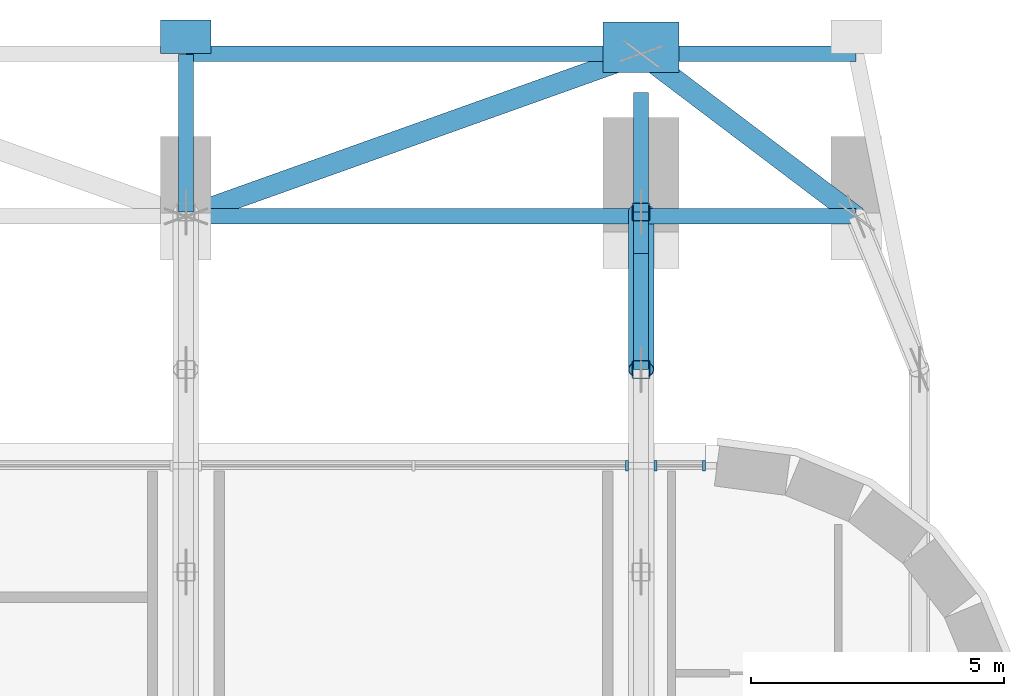
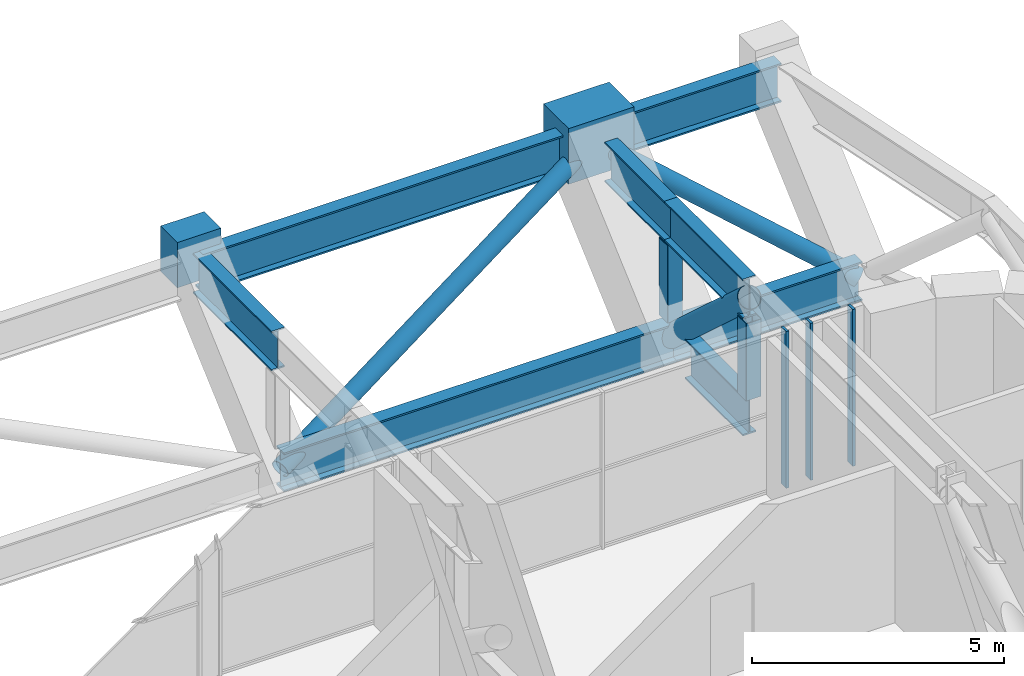
# One storey, part 8 of 23: 16 members, 2 beams, 2 elements without a shape of their own.
"""IFC4 building model written with IfcOpenShell, lengths in metres."""

from ifc_helpers import new_model, si_unit, direction, frame, origin, origin_2d, place, context, subcontext, project, spatial, rectangle, hollow_rectangle, hollow_circle, i_section, extrude, material, material_profile, profile_set, type_object, element, aggregate, save


model = new_model("IFC4")

# Units and contexts
model_context = context("Model", 3, precision=1e-05, world=origin(), true_north=direction((0.0, 1.0)))
body_context = subcontext(model_context, "Body", "Model", "MODEL_VIEW")
ifc_project = project(units=[si_unit("LENGTHUNIT", "METRE"), si_unit("AREAUNIT", "SQUARE_METRE"), si_unit("VOLUMEUNIT", "CUBIC_METRE"), si_unit("PLANEANGLEUNIT", "RADIAN"), si_unit("MASSUNIT", "GRAM", prefix="KILO")], contexts=[model_context])

# Site, building, storey
site_placement = place(None, origin())
site = spatial("IfcSite", under=ifc_project, at=site_placement, CompositionType="ELEMENT")
building_placement = place(site_placement, origin())
building = spatial("IfcBuilding", under=site, at=building_placement, Name="Zellij Exchange Tower", CompositionType="ELEMENT")
storey_placement = place(building_placement, frame((0.0, 0.0, 160.5)))
storey = spatial("IfcBuildingStorey", under=building, at=storey_placement, Name="L36", CompositionType="ELEMENT", Elevation=160.5)

# Curtain wall, members
ifc_material_1 = material(Name="Aluminium frame, clear insulating glass", Category="aluminium")
curtain_wall_type = type_object("IfcCurtainWallType", Name="ENV-CW2 Outrigger-storey glazing", PredefinedType="NOTDEFINED", material=ifc_material_1)
curtain_wall_1_placement = place(storey_placement, origin())
curtain_wall_1 = element("IfcCurtainWall", 1, at=curtain_wall_1_placement, inside=storey, type_object=curtain_wall_type, Name="cw.L36.14a.a", PredefinedType="NOTDEFINED")
ifc_material_2 = material(Name="Aluminium", Category="aluminium")
ifc_material_profile_1 = material_profile(ifc_material_2, rectangle(XDim=0.06005859375, YDim=0.199951171875, at=origin_2d()), Name="AL 60x200")
ifc_profile_set_1 = profile_set([ifc_material_profile_1], Name="Aluminium")
member_type_1 = type_object("IfcMemberType", Name="ENV-CW2M Mullion 60x200", PredefinedType="MULLION", material=ifc_profile_set_1)
member_1_placement = place(storey_placement, frame((28.243896484375, 20.10009765625, 0.0), z_axis=(0.0, 0.0, 1.0), x_axis=(-1.0, 0.0, 0.0)))
member_1 = element("IfcMember", 2, at=member_1_placement, type_object=member_type_1, Name="CW2 mullion 1", PredefinedType="MULLION", context=body_context, shape_type="SweptSolid", body=[
    extrude(rectangle(XDim=0.06005859375, YDim=0.199951171875, at=origin_2d()), origin(), (0.0, 0.0, 1.0), 3.800048828125),
])
member_2_placement = place(storey_placement, frame((27.27978515625, 20.10009765625, 0.0), z_axis=(0.0, 0.0, 1.0), x_axis=(-1.0, 0.0, 0.0)))
member_2 = element("IfcMember", 3, at=member_2_placement, type_object=member_type_1, Name="CW2 mullion 2", PredefinedType="MULLION", context=body_context, shape_type="SweptSolid", body=[
    extrude(rectangle(XDim=0.06005859375, YDim=0.199951171875, at=origin_2d()), origin(), (0.0, 0.0, 1.0), 3.800048828125),
])
aggregate(curtain_wall_1, [member_1, member_2])

# Curtain wall, member
curtain_wall_2_placement = place(storey_placement, origin())
curtain_wall_2 = element("IfcCurtainWall", 4, at=curtain_wall_2_placement, inside=storey, type_object=curtain_wall_type, Name="cw.L36.14a.b", PredefinedType="NOTDEFINED")
member_3_placement = place(storey_placement, frame((26.72021484375, 20.10009765625, 0.0), z_axis=(0.0, 0.0, 1.0), x_axis=(-1.0, 0.0, 0.0)))
member_3 = element("IfcMember", 5, at=member_3_placement, type_object=member_type_1, Name="CW2 mullion 1", PredefinedType="MULLION", context=body_context, shape_type="SweptSolid", body=[
    extrude(rectangle(XDim=0.06005859375, YDim=0.199951171875, at=origin_2d()), origin(), (0.0, 0.0, 1.0), 3.800048828125),
])
aggregate(curtain_wall_2, [member_3])

# Members
ifc_material_3 = material(Name="Structural steel ASTM A992 Gr 50", Category="steel")
ifc_material_profile_2 = material_profile(ifc_material_3, i_section(OverallWidth=0.307373046875, OverallDepth=0.9423828125, WebThickness=0.022216796875, FlangeThickness=0.039794921875, at=origin_2d()), Name="W36x232")
ifc_profile_set_2 = profile_set([ifc_material_profile_2], Name="Structural steel ASTM A992 Gr 50")
member_type_2 = type_object("IfcMemberType", Name="STR-BELT TRUSS CHORD W36x232", PredefinedType="CHORD", material=ifc_profile_set_2)
for number, where, z_axis, x_axis, name in (
    (6, (18.0, 25.030029296875, 0.47119140625), (1.0, 0.0, 0.0), (0.0, 1.0, 0.0), "BT1"),
    (7, (18.0, 28.244873046875, 3.328857421875), (1.0, 0.0, 0.0), (0.0, 1.0, 0.0), "BT1"),
):
    element("IfcMember", number, at=place(storey_placement, frame(where, z_axis=z_axis, x_axis=x_axis)), inside=storey, type_object=member_type_2, Name=name, PredefinedType="CHORD", context=body_context, shape_type="SweptSolid", body=[
        extrude(i_section(OverallWidth=0.307373046875, OverallDepth=0.9423828125, WebThickness=0.022216796875, FlangeThickness=0.039794921875, at=origin_2d()), origin(), (0.0, 0.0, 1.0), 9.0),
    ])
for number, where, z_axis, x_axis, name in (
    (8, (27.0, 25.030029296875, 0.47119140625), (1.0, 0.0, 0.0), (0.0, 1.0, 0.0), "BT1"),
    (9, (27.0, 28.244873046875, 3.328857421875), (1.0, 0.0, 0.0), (0.0, 1.0, 0.0), "BT1"),
):
    element("IfcMember", number, at=place(storey_placement, frame(where, z_axis=z_axis, x_axis=x_axis)), inside=storey, type_object=member_type_2, Name=name, PredefinedType="CHORD", context=body_context, shape_type="SweptSolid", body=[
        extrude(i_section(OverallWidth=0.307373046875, OverallDepth=0.9423828125, WebThickness=0.022216796875, FlangeThickness=0.039794921875, at=origin_2d()), origin(), (0.0, 0.0, 1.0), 4.25),
    ])
ifc_material_4 = material(Name="Structural steel ASTM A500 Gr C", Category="steel")
ifc_material_profile_3 = material_profile(ifc_material_4, hollow_circle(Radius=0.203125, WallThickness=0.01171875, at=origin_2d()), Name="STR-BELT TRUSS DIAGONAL HSS16.000x0.500")
ifc_profile_set_3 = profile_set([ifc_material_profile_3], Name="Structural steel ASTM A500 Gr C")
member_type_3 = type_object("IfcMemberType", Name="STR-BELT TRUSS DIAGONAL HSS16.000x0.500", PredefinedType="BRACE", material=ifc_profile_set_3)
member_4_placement = place(storey_placement, frame((18.0, 25.030029296875, 0.47119140625), z_axis=(0.902251783506, 0.322288723014, 0.286481584362), x_axis=(-0.336388181808, 0.941723415414, 0.0)))
element("IfcMember", 10, at=member_4_placement, inside=storey, type_object=member_type_3, Name="BT2", PredefinedType="BRACE", context=body_context, shape_type="SweptSolid", body=[
    extrude(hollow_circle(Radius=0.203125, WallThickness=0.01171875, at=origin_2d()), origin(), (0.0, 0.0, 1.0), 9.97509765625),
])
member_5_placement = place(storey_placement, frame((27.0, 28.244873046875, 3.328857421875), z_axis=(0.702849315232, -0.531658994886, -0.472590259352), x_axis=(0.603278893119, 0.797530298558, 0.0)))
element("IfcMember", 11, at=member_5_placement, inside=storey, type_object=member_type_3, Name="BT2", PredefinedType="BRACE", context=body_context, shape_type="SweptSolid", body=[
    extrude(hollow_circle(Radius=0.203125, WallThickness=0.01171875, at=origin_2d()), origin(), (0.0, 0.0, 1.0), 6.046875),
])

# Beams
ifc_material_5 = material(Name="Concrete C60/75", Category="concrete")
ifc_material_profile_4 = material_profile(ifc_material_5, rectangle(XDim=1.0, YDim=1.10009765625, at=origin_2d()), Name="STR-KNUCKLE BLOCK RC1000x1100 C60/75")
ifc_profile_set_4 = profile_set([ifc_material_profile_4], Name="Concrete C60/75")
beam_type_1 = type_object("IfcBeamType", Name="STR-KNUCKLE BLOCK RC1000x1100 C60/75", PredefinedType="BEAM", material=ifc_profile_set_4)
beam_1_placement = place(storey_placement, frame((18.0, 28.247314453125, 3.625), z_axis=(0.0, 1.0, 0.0), x_axis=(-1.0, 0.0, 0.0)))
element("IfcBeam", 12, at=beam_1_placement, inside=storey, type_object=beam_type_1, Name="KB3", PredefinedType="BEAM", context=body_context, shape_type="SweptSolid", body=[
    extrude(rectangle(XDim=1.0, YDim=1.10009765625, at=origin_2d()), origin(), (0.0, 0.0, 1.0), 0.66455078125),
])
ifc_material_profile_5 = material_profile(ifc_material_5, rectangle(XDim=1.5, YDim=1.35009765625, at=origin_2d()), Name="STR-KNUCKLE BLOCK RC1500x1350 C60/75")
ifc_profile_set_5 = profile_set([ifc_material_profile_5], Name="Concrete C60/75")
beam_type_2 = type_object("IfcBeamType", Name="STR-KNUCKLE BLOCK RC1500x1350 C60/75", PredefinedType="BEAM", material=ifc_profile_set_5)
beam_2_placement = place(storey_placement, frame((27.0, 27.87109375, 3.425048828125), z_axis=(0.0, 1.0, 0.0), x_axis=(-1.0, 0.0, 0.0)))
element("IfcBeam", 13, at=beam_2_placement, inside=storey, type_object=beam_type_2, Name="KB8", PredefinedType="BEAM", context=body_context, shape_type="SweptSolid", body=[
    extrude(rectangle(XDim=1.5, YDim=1.35009765625, at=origin_2d()), origin(), (0.0, 0.0, 1.0), 0.99658203125),
])

# Members
ifc_material_6 = material(Name="Structural steel ASTM A913 Gr 65", Category="steel")
ifc_material_profile_6 = material_profile(ifc_material_6, i_section(OverallWidth=0.2998046875, OverallDepth=0.965087890625, WebThickness=0.01904296875, FlangeThickness=0.0361328125, at=origin_2d()), Name="W40x249")
ifc_profile_set_6 = profile_set([ifc_material_profile_6], Name="Structural steel ASTM A913 Gr 65")
member_type_4 = type_object("IfcMemberType", Name="STR-OUTRIGGER TRUSS CHORD W40x249", PredefinedType="CHORD", material=ifc_profile_set_6)
member_6_placement = place(storey_placement, frame((18.0, 25.115966796875, 3.3173828125), z_axis=(0.0, 1.0, 0.0), x_axis=(-1.0, 0.0, 0.0)))
element("IfcMember", 14, at=member_6_placement, inside=storey, type_object=member_type_4, Name="OT1", PredefinedType="CHORD", context=body_context, shape_type="SweptSolid", body=[
    extrude(i_section(OverallWidth=0.2998046875, OverallDepth=0.965087890625, WebThickness=0.01904296875, FlangeThickness=0.0361328125, at=origin_2d()), origin(), (0.0, 0.0, 1.0), 3.1162109375),
])
member_7_placement = place(storey_placement, frame((27.0, 22.0, 3.3173828125), z_axis=(0.0, 1.0, 0.0), x_axis=(-1.0, 0.0, 0.0)))
element("IfcMember", 15, at=member_7_placement, inside=storey, type_object=member_type_4, Name="OT1", PredefinedType="CHORD", context=body_context, shape_type="SweptSolid", body=[
    extrude(i_section(OverallWidth=0.2998046875, OverallDepth=0.965087890625, WebThickness=0.01904296875, FlangeThickness=0.0361328125, at=origin_2d()), origin(), (0.0, 0.0, 1.0), 3.115966796875),
])
member_8_placement = place(storey_placement, frame((27.0, 22.0, 0.482666015625), z_axis=(0.0, 1.0, 0.0), x_axis=(-1.0, 0.0, 0.0)))
element("IfcMember", 16, at=member_8_placement, inside=storey, type_object=member_type_4, Name="OT1", PredefinedType="CHORD", context=body_context, shape_type="SweptSolid", body=[
    extrude(i_section(OverallWidth=0.2998046875, OverallDepth=0.965087890625, WebThickness=0.01904296875, FlangeThickness=0.0361328125, at=origin_2d()), origin(), (0.0, 0.0, 1.0), 2.29296875),
])
member_9_placement = place(storey_placement, frame((27.0, 25.115966796875, 3.3173828125), z_axis=(0.0, 1.0, 0.0), x_axis=(-1.0, 0.0, 0.0)))
element("IfcMember", 17, at=member_9_placement, inside=storey, type_object=member_type_4, Name="OT1", PredefinedType="CHORD", context=body_context, shape_type="SweptSolid", body=[
    extrude(i_section(OverallWidth=0.2998046875, OverallDepth=0.965087890625, WebThickness=0.01904296875, FlangeThickness=0.0361328125, at=origin_2d()), origin(), (0.0, 0.0, 1.0), 2.3662109375),
])
ifc_material_profile_7 = material_profile(ifc_material_4, hollow_circle(Radius=0.25390625, WallThickness=0.01171875, at=origin_2d()), Name="STR-OUTRIGGER TRUSS DIAGONAL HSS20.000x0.500")
ifc_profile_set_7 = profile_set([ifc_material_profile_7], Name="Structural steel ASTM A500 Gr C")
member_type_5 = type_object("IfcMemberType", Name="STR-OUTRIGGER TRUSS DIAGONAL HSS20.000x0.500", PredefinedType="BRACE", material=ifc_profile_set_7)
member_10_placement = place(storey_placement, frame((27.0, 22.0, 3.3173828125), z_axis=(0.0, 0.739701381589, -0.67293526143), x_axis=(-1.0, 0.0, 0.0)))
element("IfcMember", 18, at=member_10_placement, inside=storey, type_object=member_type_5, Name="OT2", PredefinedType="BRACE", context=body_context, shape_type="SweptSolid", body=[
    extrude(hollow_circle(Radius=0.25390625, WallThickness=0.01171875, at=origin_2d()), origin(), (0.0, 0.0, 1.0), 4.21240234375),
])
ifc_material_profile_8 = material_profile(ifc_material_4, hollow_rectangle(XDim=0.355712890625, YDim=0.355712890625, WallThickness=0.01171875, InnerFilletRadius=0.01171875, OuterFilletRadius=0.023681640625, at=origin_2d()), Name="STR-OUTRIGGER TRUSS POST HSS14x14x1/2")
ifc_profile_set_8 = profile_set([ifc_material_profile_8], Name="Structural steel ASTM A500 Gr C")
member_type_6 = type_object("IfcMemberType", Name="STR-OUTRIGGER TRUSS POST HSS14x14x1/2", PredefinedType="POST", material=ifc_profile_set_8)
for number, where, z_axis, x_axis, name in (
    (19, (27.0, 22.0, 0.965087890625), (0.0, 0.0, 1.0), (1.0, 0.0, 0.0), "OT3"),
    (20, (27.0, 25.115966796875, 0.965087890625), (0.0, 0.0, 1.0), (1.0, 0.0, 0.0), "OT3"),
):
    element("IfcMember", number, at=place(storey_placement, frame(where, z_axis=z_axis, x_axis=x_axis)), inside=storey, type_object=member_type_6, Name=name, PredefinedType="POST", context=body_context, shape_type="SweptSolid", body=[
        extrude(hollow_rectangle(XDim=0.355712890625, YDim=0.355712890625, WallThickness=0.01171875, InnerFilletRadius=0.01171875, OuterFilletRadius=0.023681640625, at=origin_2d()), origin(), (0.0, 0.0, 1.0), 1.86962890625),
    ])

save(model, "model.ifc")
